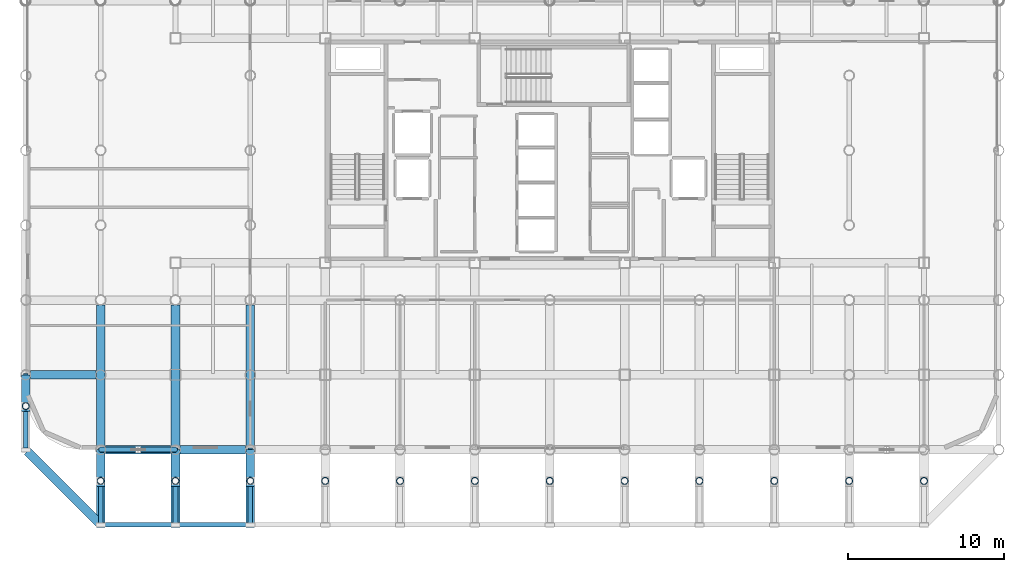
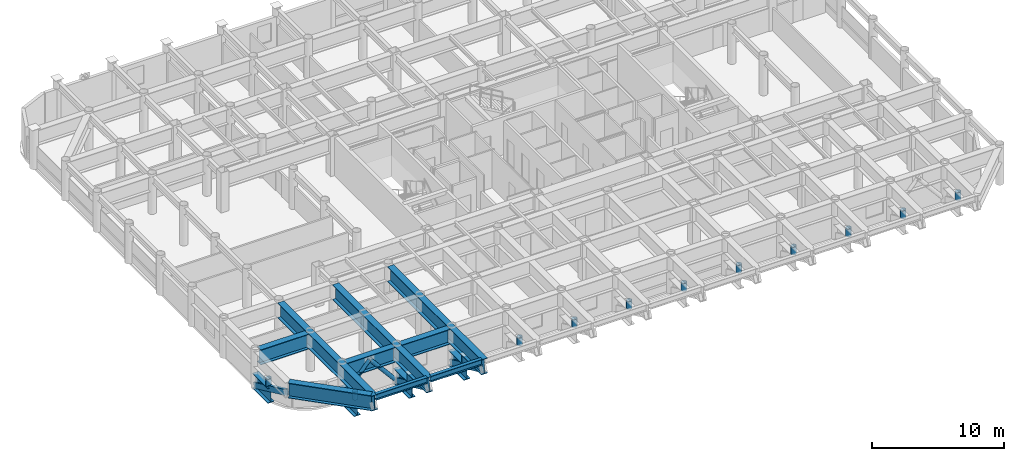
# One storey, part 2 of 24: 13 beams, 13 columns, 6 members.
"""IFC4 building model written with IfcOpenShell, lengths in metres."""

from ifc_helpers import new_model, si_unit, direction, frame, origin, origin_2d, place, context, subcontext, project, spatial, hollow_rectangle, hollow_circle, i_section, extrude, material, material_profile, profile_set, type_object, element, save


model = new_model("IFC4")

# Units and contexts
model_context = context("Model", 3, precision=1e-05, world=origin(), true_north=direction((0.0, 1.0)))
body_context = subcontext(model_context, "Body", "Model", "MODEL_VIEW")
ifc_project = project(units=[si_unit("LENGTHUNIT", "METRE"), si_unit("AREAUNIT", "SQUARE_METRE"), si_unit("VOLUMEUNIT", "CUBIC_METRE"), si_unit("PLANEANGLEUNIT", "RADIAN"), si_unit("MASSUNIT", "GRAM", prefix="KILO")], contexts=[model_context])

# Site, building, storey
site_placement = place(None, origin())
site = spatial("IfcSite", under=ifc_project, at=site_placement, CompositionType="ELEMENT")
building_placement = place(site_placement, origin())
building = spatial("IfcBuilding", under=site, at=building_placement, Name="Kallvorn Hotel Tower", CompositionType="ELEMENT")
storey_placement = place(building_placement, frame((0.0, 0.0, 150.699951171875)))
storey = spatial("IfcBuildingStorey", under=building, at=storey_placement, Name="L37", CompositionType="ELEMENT", Elevation=150.699951171875)

# Columns
ifc_material_1 = material(Name="Structural steel S355J2H", Category="steel")
ifc_material_profile_1 = material_profile(ifc_material_1, hollow_circle(Radius=0.228515625, WallThickness=0.02001953125, at=origin_2d()), Name="CHS 457x20")
ifc_profile_set_1 = profile_set([ifc_material_profile_1], Name="Structural steel S355J2H")
column_type = type_object("IfcColumnType", Name="COL_CHS_457", PredefinedType="COLUMN", material=ifc_profile_set_1)
for number, where, z_axis, x_axis, name in (
    (1, (-33.60009765625, -16.39990234375, 1.400146484375), (0.0, 0.0, 1.0), (1.0, 0.0, 0.0), "L38 Cantilever Haunch Prop Column 01"),
    (2, (-28.800048828125, -21.199951171875, 1.400146484375), (0.0, 0.0, 1.0), (1.0, 0.0, 0.0), "L38 Cantilever Haunch Prop Column 02"),
    (3, (-24.0, -21.199951171875, 1.400146484375), (0.0, 0.0, 1.0), (1.0, 0.0, 0.0), "L38 Cantilever Haunch Prop Column 03"),
    (4, (-19.199951171875, -21.199951171875, 1.400146484375), (0.0, 0.0, 1.0), (1.0, 0.0, 0.0), "L38 Cantilever Haunch Prop Column 04"),
    (5, (-14.39990234375, -21.199951171875, 1.400146484375), (0.0, 0.0, 1.0), (1.0, 0.0, 0.0), "L38 Cantilever Haunch Prop Column 05"),
    (6, (-9.60009765625, -21.199951171875, 1.400146484375), (0.0, 0.0, 1.0), (1.0, 0.0, 0.0), "L38 Cantilever Haunch Prop Column 06"),
    (7, (-4.800048828125, -21.199951171875, 1.400146484375), (0.0, 0.0, 1.0), (1.0, 0.0, 0.0), "L38 Cantilever Haunch Prop Column 07"),
    (8, (0.0, -21.199951171875, 1.400146484375), (0.0, 0.0, 1.0), (1.0, 0.0, 0.0), "L38 Cantilever Haunch Prop Column 08"),
    (9, (4.800048828125, -21.199951171875, 1.400146484375), (0.0, 0.0, 1.0), (1.0, 0.0, 0.0), "L38 Cantilever Haunch Prop Column 09"),
    (10, (9.60009765625, -21.199951171875, 1.400146484375), (0.0, 0.0, 1.0), (1.0, 0.0, 0.0), "L38 Cantilever Haunch Prop Column 10"),
    (11, (14.39990234375, -21.199951171875, 1.400146484375), (0.0, 0.0, 1.0), (1.0, 0.0, 0.0), "L38 Cantilever Haunch Prop Column 11"),
    (12, (19.199951171875, -21.199951171875, 1.400146484375), (0.0, 0.0, 1.0), (1.0, 0.0, 0.0), "L38 Cantilever Haunch Prop Column 12"),
    (13, (24.0, -21.199951171875, 1.400146484375), (0.0, 0.0, 1.0), (1.0, 0.0, 0.0), "L38 Cantilever Haunch Prop Column 13"),
):
    element("IfcColumn", number, at=place(storey_placement, frame(where, z_axis=z_axis, x_axis=x_axis)), inside=storey, type_object=column_type, Name=name, PredefinedType="COLUMN", context=body_context, shape_type="SweptSolid", body=[
        extrude(hollow_circle(Radius=0.228515625, WallThickness=0.02001953125, at=origin_2d()), origin(), (0.0, 0.0, 1.0), 0.739990234375),
    ])

# Beams
ifc_material_2 = material(Name="Structural steel S355JR", Category="steel")
ifc_material_profile_2 = material_profile(ifc_material_2, i_section(OverallWidth=0.300048828125, OverallDepth=0.550048828125, WebThickness=0.014892578125, FlangeThickness=0.029052734375, at=origin_2d()), Name="HE 550 B")
ifc_profile_set_2 = profile_set([ifc_material_profile_2], Name="Structural steel S355JR")
beam_type_1 = type_object("IfcBeamType", Name="BM_HE550B", PredefinedType="SPANDREL", material=ifc_profile_set_2)
for number, where, z_axis, x_axis, name in (
    (14, (-28.64990234375, -24.0, 3.2451171875), (1.0, 0.0, 0.0), (0.0, 1.0, 0.0), "L38 Perimeter Spandrel 164"),
    (15, (-23.85009765625, -24.0, 3.2451171875), (1.0, 0.0, 0.0), (0.0, 1.0, 0.0), "L38 Perimeter Spandrel 165"),
):
    element("IfcBeam", number, at=place(storey_placement, frame(where, z_axis=z_axis, x_axis=x_axis)), inside=storey, type_object=beam_type_1, Name=name, PredefinedType="SPANDREL", context=body_context, shape_type="SweptSolid", body=[
        extrude(i_section(OverallWidth=0.300048828125, OverallDepth=0.550048828125, WebThickness=0.014892578125, FlangeThickness=0.029052734375, at=origin_2d()), origin(), (0.0, 0.0, 1.0), 4.5),
    ])
ifc_material_3 = material(Name="Structural steel S355JR", Category="steel")
ifc_material_profile_3 = material_profile(ifc_material_3, i_section(OverallWidth=0.550048828125, OverallDepth=1.39990234375, WebThickness=0.02490234375, FlangeThickness=0.044921875, at=origin_2d()), Name="PG 1400x550x25x45")
ifc_profile_set_3 = profile_set([ifc_material_profile_3], Name="Structural steel S355JR")
beam_type_2 = type_object("IfcBeamType", Name="BM_PG_1400", PredefinedType="BEAM", material=ifc_profile_set_3)
beam_1_placement = place(storey_placement, frame((-33.60009765625, -14.39990234375, 0.719970703125), z_axis=(0.0, -1.0, 0.0), x_axis=(1.0, 0.0, 0.0)))
element("IfcBeam", 16, at=beam_1_placement, inside=storey, type_object=beam_type_2, Name="L38 Cantilever Haunch Corbel 01", PredefinedType="BEAM", context=body_context, shape_type="SweptSolid", body=[
    extrude(i_section(OverallWidth=0.550048828125, OverallDepth=1.39990234375, WebThickness=0.02490234375, FlangeThickness=0.044921875, at=origin_2d()), origin(), (0.0, 0.0, 1.0), 2.35009765625),
])
beam_2_placement = place(storey_placement, frame((-28.800048828125, -9.919921875, 2.820068359375), z_axis=(0.0, -1.0, 0.0), x_axis=(1.0, 0.0, 0.0)))
element("IfcBeam", 17, at=beam_2_placement, inside=storey, type_object=beam_type_2, Name="L38 Continuous Cantilever Transfer Girder 02", PredefinedType="BEAM", context=body_context, shape_type="SweptSolid", body=[
    extrude(i_section(OverallWidth=0.550048828125, OverallDepth=1.39990234375, WebThickness=0.02490234375, FlangeThickness=0.044921875, at=origin_2d()), origin(), (0.0, 0.0, 1.0), 14.260009765625),
])
beam_3_placement = place(storey_placement, frame((-28.800048828125, -19.199951171875, 0.719970703125), z_axis=(0.0, -1.0, 0.0), x_axis=(1.0, 0.0, 0.0)))
element("IfcBeam", 18, at=beam_3_placement, inside=storey, type_object=beam_type_2, Name="L38 Cantilever Haunch Corbel 02", PredefinedType="BEAM", context=body_context, shape_type="SweptSolid", body=[
    extrude(i_section(OverallWidth=0.550048828125, OverallDepth=1.39990234375, WebThickness=0.02490234375, FlangeThickness=0.044921875, at=origin_2d()), origin(), (0.0, 0.0, 1.0), 2.35009765625),
])
beam_4_placement = place(storey_placement, frame((-24.0, -9.919921875, 2.820068359375), z_axis=(0.0, -1.0, 0.0), x_axis=(1.0, 0.0, 0.0)))
element("IfcBeam", 19, at=beam_4_placement, inside=storey, type_object=beam_type_2, Name="L38 Continuous Cantilever Transfer Girder 03", PredefinedType="BEAM", context=body_context, shape_type="SweptSolid", body=[
    extrude(i_section(OverallWidth=0.550048828125, OverallDepth=1.39990234375, WebThickness=0.02490234375, FlangeThickness=0.044921875, at=origin_2d()), origin(), (0.0, 0.0, 1.0), 14.260009765625),
])
beam_5_placement = place(storey_placement, frame((-24.0, -19.199951171875, 0.719970703125), z_axis=(0.0, -1.0, 0.0), x_axis=(1.0, 0.0, 0.0)))
element("IfcBeam", 20, at=beam_5_placement, inside=storey, type_object=beam_type_2, Name="L38 Cantilever Haunch Corbel 03", PredefinedType="BEAM", context=body_context, shape_type="SweptSolid", body=[
    extrude(i_section(OverallWidth=0.550048828125, OverallDepth=1.39990234375, WebThickness=0.02490234375, FlangeThickness=0.044921875, at=origin_2d()), origin(), (0.0, 0.0, 1.0), 2.35009765625),
])
beam_6_placement = place(storey_placement, frame((-19.199951171875, -9.919921875, 2.820068359375), z_axis=(0.0, -1.0, 0.0), x_axis=(1.0, 0.0, 0.0)))
element("IfcBeam", 21, at=beam_6_placement, inside=storey, type_object=beam_type_2, Name="L38 Continuous Cantilever Transfer Girder 04", PredefinedType="BEAM", context=body_context, shape_type="SweptSolid", body=[
    extrude(i_section(OverallWidth=0.550048828125, OverallDepth=1.39990234375, WebThickness=0.02490234375, FlangeThickness=0.044921875, at=origin_2d()), origin(), (0.0, 0.0, 1.0), 14.260009765625),
])
beam_7_placement = place(storey_placement, frame((-19.199951171875, -19.199951171875, 0.719970703125), z_axis=(0.0, -1.0, 0.0), x_axis=(1.0, 0.0, 0.0)))
element("IfcBeam", 22, at=beam_7_placement, inside=storey, type_object=beam_type_2, Name="L38 Cantilever Haunch Corbel 04", PredefinedType="BEAM", context=body_context, shape_type="SweptSolid", body=[
    extrude(i_section(OverallWidth=0.550048828125, OverallDepth=1.39990234375, WebThickness=0.02490234375, FlangeThickness=0.044921875, at=origin_2d()), origin(), (0.0, 0.0, 1.0), 2.35009765625),
])
for number, where, z_axis, x_axis, name in (
    (23, (-28.4951171875, -19.199951171875, 2.820068359375), (1.0, 0.0, 0.0), (0.0, 1.0, 0.0), "L38 Primary X-Girder 14"),
    (24, (-23.695068359375, -19.199951171875, 2.820068359375), (1.0, 0.0, 0.0), (0.0, 1.0, 0.0), "L38 Primary X-Girder 15"),
):
    element("IfcBeam", number, at=place(storey_placement, frame(where, z_axis=z_axis, x_axis=x_axis)), inside=storey, type_object=beam_type_2, Name=name, PredefinedType="BEAM", context=body_context, shape_type="SweptSolid", body=[
        extrude(i_section(OverallWidth=0.550048828125, OverallDepth=1.39990234375, WebThickness=0.02490234375, FlangeThickness=0.044921875, at=origin_2d()), origin(), (0.0, 0.0, 1.0), 4.190185546875),
    ])
beam_8_placement = place(storey_placement, frame((-33.294921875, -14.39990234375, 2.820068359375), z_axis=(1.0, 0.0, 0.0), x_axis=(0.0, 1.0, 0.0)))
element("IfcBeam", 25, at=beam_8_placement, inside=storey, type_object=beam_type_2, Name="L38 Primary X-Girder 26", PredefinedType="BEAM", context=body_context, shape_type="SweptSolid", body=[
    extrude(i_section(OverallWidth=0.550048828125, OverallDepth=1.39990234375, WebThickness=0.02490234375, FlangeThickness=0.044921875, at=origin_2d()), origin(), (0.0, 0.0, 1.0), 4.18994140625),
])
beam_9_placement = place(storey_placement, frame((-33.493896484375, -19.30615234375, 2.820068359375), z_axis=(0.707125595474, -0.707087966398, 0.0), x_axis=(0.707087966398, 0.707125595474, 0.0)))
element("IfcBeam", 26, at=beam_9_placement, inside=storey, type_object=beam_type_2, Name="L38 Rounded Corner Tie Beam 202", PredefinedType="BEAM", context=body_context, shape_type="SweptSolid", body=[
    extrude(i_section(OverallWidth=0.550048828125, OverallDepth=1.39990234375, WebThickness=0.02490234375, FlangeThickness=0.044921875, at=origin_2d()), origin(), (0.0, 0.0, 1.0), 6.488037109375),
])

# Members
ifc_material_4 = material(Name="Structural steel S355J2H", Category="steel")
ifc_material_profile_4 = material_profile(ifc_material_4, hollow_circle(Radius=0.177734375, WallThickness=0.01416015625, at=origin_2d()), Name="CHS 355.6x14.2")
ifc_profile_set_4 = profile_set([ifc_material_profile_4], Name="Structural steel S355J2H")
member_type_1 = type_object("IfcMemberType", Name="MBR_EXO_CHS355", PredefinedType="BRACE", material=ifc_profile_set_4)
for number, where, z_axis, x_axis, name in (
    (27, (-28.787109375, -19.199951171875, 0.1953125), (0.646833296797, 0.0, 0.762631422218), (0.0, 1.0, 0.0), "L37 Exoskeleton K-Brace S1A"),
    (28, (-24.012939453125, -19.199951171875, 0.1953125), (-0.646833296797, 0.0, 0.762631422218), (0.0, -1.0, 0.0), "L37 Exoskeleton K-Brace S1B"),
):
    element("IfcMember", number, at=place(storey_placement, frame(where, z_axis=z_axis, x_axis=x_axis)), inside=storey, type_object=member_type_1, Name=name, PredefinedType="BRACE", context=body_context, shape_type="SweptSolid", body=[
        extrude(hollow_circle(Radius=0.177734375, WallThickness=0.01416015625, at=origin_2d()), origin(), (0.0, 0.0, 1.0), 3.670654296875),
    ])
ifc_material_5 = material(Name="Structural steel S355J2H", Category="steel")
ifc_material_profile_5 = material_profile(ifc_material_5, hollow_rectangle(XDim=0.300048828125, YDim=0.5, WallThickness=0.02490234375, at=origin_2d()), Name="RHS 500x300x25")
ifc_profile_set_5 = profile_set([ifc_material_profile_5], Name="Structural steel S355J2H")
member_type_2 = type_object("IfcMemberType", Name="MBR_OUTRIGGER_RHS500", PredefinedType="BRACE", material=ifc_profile_set_5)
for number, where, z_axis, x_axis, name in (
    (29, (-33.60009765625, -14.39990234375, 0.25), (0.0, -0.907630778312, 0.419769425115), (1.0, 0.0, 0.0), "L38 Exoskeleton Cantilever Raking Strut 01"),
    (30, (-28.800048828125, -19.199951171875, 0.25), (0.0, -0.907630778312, 0.419769425115), (1.0, 0.0, 0.0), "L38 Exoskeleton Cantilever Raking Strut 02"),
    (31, (-24.0, -19.199951171875, 0.25), (0.0, -0.907630778312, 0.419769425115), (1.0, 0.0, 0.0), "L38 Exoskeleton Cantilever Raking Strut 03"),
    (32, (-19.199951171875, -19.199951171875, 0.25), (0.0, -0.907630778312, 0.419769425115), (1.0, 0.0, 0.0), "L38 Exoskeleton Cantilever Raking Strut 04"),
):
    element("IfcMember", number, at=place(storey_placement, frame(where, z_axis=z_axis, x_axis=x_axis)), inside=storey, type_object=member_type_2, Name=name, PredefinedType="BRACE", context=body_context, shape_type="SweptSolid", body=[
        extrude(hollow_rectangle(XDim=0.300048828125, YDim=0.5, WallThickness=0.02490234375, at=origin_2d()), origin(), (0.0, 0.0, 1.0), 5.28857421875),
    ])

save(model, "model.ifc")
